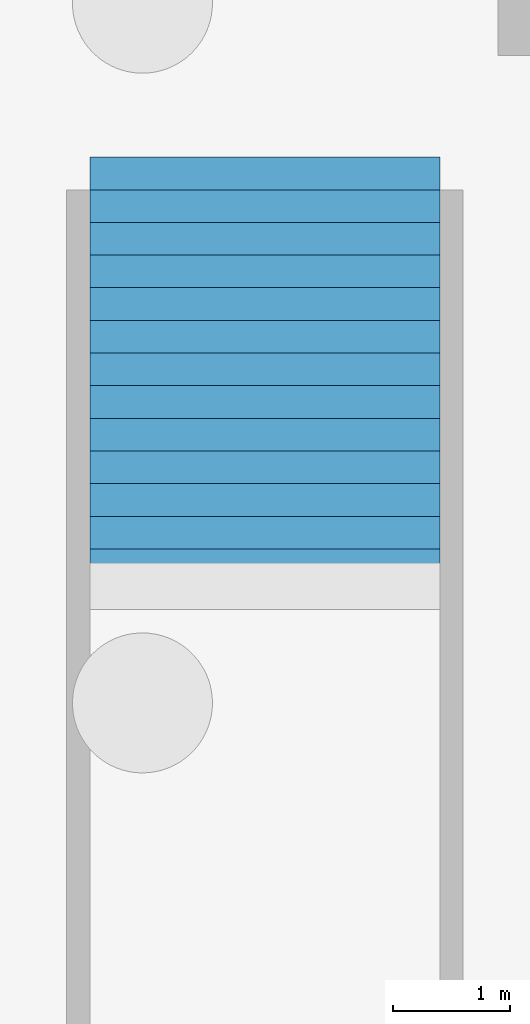
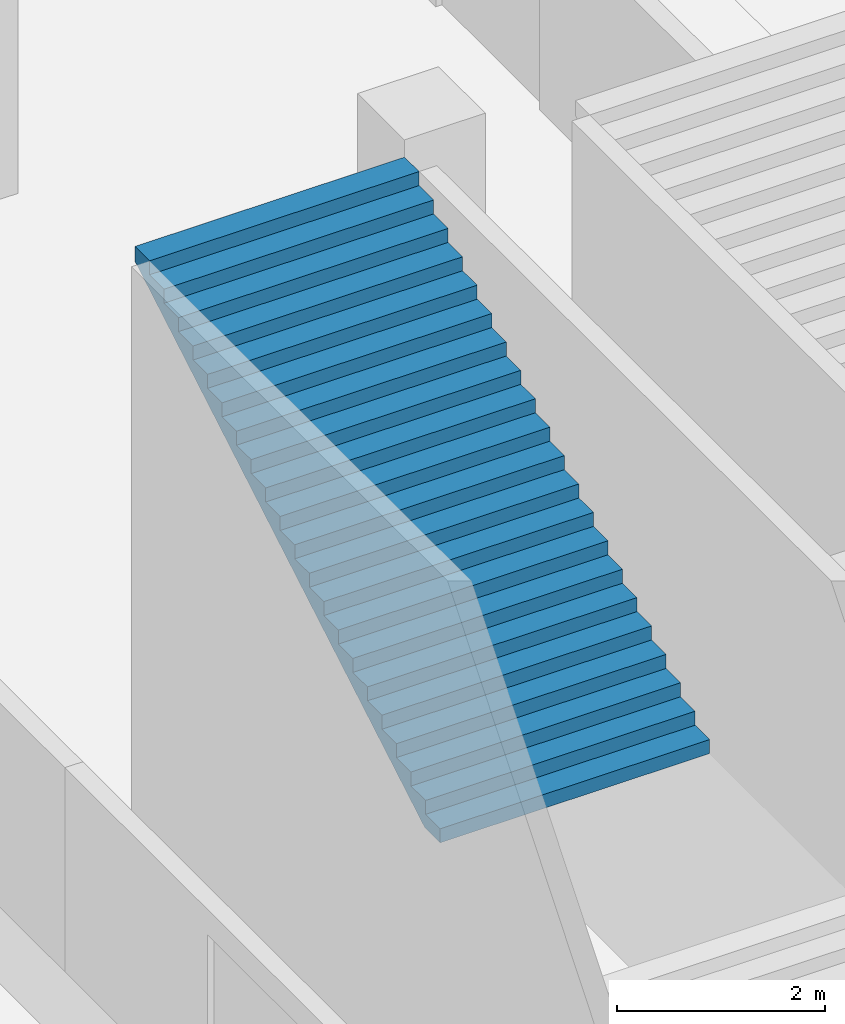
# One storey, part 9 of 16: 1 stair flight, 1 element without a shape of its own.
"""IFC4 building model written with IfcOpenShell, lengths in metres."""

from ifc_helpers import new_model, si_unit, direction, frame, origin, place, context, subcontext, project, spatial, faceted_brep, material, type_object, element, aggregate, save


model = new_model("IFC4")

# Units and contexts
model_context = context("Model", 3, precision=1e-05, world=origin(), true_north=direction((0.0, 1.0)))
body_context = subcontext(model_context, "Body", "Model", "MODEL_VIEW")
ifc_project = project(units=[si_unit("LENGTHUNIT", "METRE"), si_unit("AREAUNIT", "SQUARE_METRE"), si_unit("VOLUMEUNIT", "CUBIC_METRE"), si_unit("PLANEANGLEUNIT", "RADIAN"), si_unit("MASSUNIT", "GRAM", prefix="KILO")], contexts=[model_context])

# Site, building, storey
site_placement = place(None, origin())
site = spatial("IfcSite", under=ifc_project, at=site_placement, CompositionType="ELEMENT")
building_placement = place(site_placement, origin())
building = spatial("IfcBuilding", under=site, at=building_placement, Name="Ogive Plaza Stadium", CompositionType="ELEMENT")
storey_placement = place(building_placement, frame((0.0, 0.0, -11.39990234375)))
storey = spatial("IfcBuildingStorey", under=building, at=storey_placement, Name="B2", CompositionType="ELEMENT", Elevation=-11.39990234375)

# Stair, stair flight
ifc_material_1 = material(Name="Concrete C40/50", Category="concrete")
stair_type = type_object("IfcStairType", Name="Station stair 3000", PredefinedType="TWO_STRAIGHT_RUN_STAIR", material=ifc_material_1)
stair_placement = place(storey_placement, origin())
stair = element("IfcStair", 1, at=stair_placement, inside=storey, type_object=stair_type, Name="Stair PS1", PredefinedType="TWO_STRAIGHT_RUN_STAIR")
ifc_material_2 = material(Name="Concrete C40/50", Category="concrete")
stair_flight_type = type_object("IfcStairFlightType", Name="Station stair flight 3000", PredefinedType="STRAIGHT", material=ifc_material_2)
stair_flight_placement = place(storey_placement, frame((105.050048828125, -34.199951171875, 3.449951171875), z_axis=(0.0, 0.0, 1.0), x_axis=(0.0, 1.0, 0.0)))
stair_flight = element("IfcStairFlight", 2, at=stair_flight_placement, type_object=stair_flight_type, Name="PS1 flight 2", NumberOfRisers=21, NumberOfTreads=20, PredefinedType="STRAIGHT", RiserHeight=0.164285714, TreadLength=0.28, context=body_context, shape_type="Brep", body=[
    faceted_brep([(0.296142578125, -1.5, 0.0), (5.8798828125, -1.5, 3.276123046875), (5.8798828125, -1.5, 3.449951171875), (5.60009765625, -1.5, 3.449951171875), (5.60009765625, -1.5, 3.28564453125), (5.320068359375, -1.5, 3.28564453125), (5.320068359375, -1.5, 3.121337890625), (5.0400390625, -1.5, 3.121337890625), (5.0400390625, -1.5, 2.95703125), (4.760009765625, -1.5, 2.95703125), (4.760009765625, -1.5, 2.79296875), (4.47998046875, -1.5, 2.79296875), (4.47998046875, -1.5, 2.628662109375), (4.199951171875, -1.5, 2.628662109375), (4.199951171875, -1.5, 2.46435546875), (3.919921875, -1.5, 2.46435546875), (3.919921875, -1.5, 2.300048828125), (3.639892578125, -1.5, 2.300048828125), (3.639892578125, -1.5, 2.1357421875), (3.360107421875, -1.5, 2.1357421875), (3.360107421875, -1.5, 1.971435546875), (3.080078125, -1.5, 1.971435546875), (3.080078125, -1.5, 1.80712890625), (2.800048828125, -1.5, 1.80712890625), (2.800048828125, -1.5, 1.642822265625), (2.52001953125, -1.5, 1.642822265625), (2.52001953125, -1.5, 1.478515625), (2.239990234375, -1.5, 1.478515625), (2.239990234375, -1.5, 1.314208984375), (1.9599609375, -1.5, 1.314208984375), (1.9599609375, -1.5, 1.14990234375), (1.679931640625, -1.5, 1.14990234375), (1.679931640625, -1.5, 0.985595703125), (1.39990234375, -1.5, 0.985595703125), (1.39990234375, -1.5, 0.821533203125), (1.1201171875, -1.5, 0.821533203125), (1.1201171875, -1.5, 0.6572265625), (0.840087890625, -1.5, 0.6572265625), (0.840087890625, -1.5, 0.492919921875), (0.56005859375, -1.5, 0.492919921875), (0.56005859375, -1.5, 0.32861328125), (0.280029296875, -1.5, 0.32861328125), (0.280029296875, -1.5, 0.164306640625), (0.0, -1.5, 0.164306640625), (0.0, -1.5, 0.0), (0.0, 1.5, 0.0), (0.0, 1.5, 0.164306640625), (0.280029296875, 1.5, 0.164306640625), (0.280029296875, 1.5, 0.32861328125), (0.56005859375, 1.5, 0.32861328125), (0.56005859375, 1.5, 0.492919921875), (0.840087890625, 1.5, 0.492919921875), (0.840087890625, 1.5, 0.6572265625), (1.1201171875, 1.5, 0.6572265625), (1.1201171875, 1.5, 0.821533203125), (1.39990234375, 1.5, 0.821533203125), (1.39990234375, 1.5, 0.985595703125), (1.679931640625, 1.5, 0.985595703125), (1.679931640625, 1.5, 1.14990234375), (1.9599609375, 1.5, 1.14990234375), (1.9599609375, 1.5, 1.314208984375), (2.239990234375, 1.5, 1.314208984375), (2.239990234375, 1.5, 1.478515625), (2.52001953125, 1.5, 1.478515625), (2.52001953125, 1.5, 1.642822265625), (2.800048828125, 1.5, 1.642822265625), (2.800048828125, 1.5, 1.80712890625), (3.080078125, 1.5, 1.80712890625), (3.080078125, 1.5, 1.971435546875), (3.360107421875, 1.5, 1.971435546875), (3.360107421875, 1.5, 2.1357421875), (3.639892578125, 1.5, 2.1357421875), (3.639892578125, 1.5, 2.300048828125), (3.919921875, 1.5, 2.300048828125), (3.919921875, 1.5, 2.46435546875), (4.199951171875, 1.5, 2.46435546875), (4.199951171875, 1.5, 2.628662109375), (4.47998046875, 1.5, 2.628662109375), (4.47998046875, 1.5, 2.79296875), (4.760009765625, 1.5, 2.79296875), (4.760009765625, 1.5, 2.95703125), (5.0400390625, 1.5, 2.95703125), (5.0400390625, 1.5, 3.121337890625), (5.320068359375, 1.5, 3.121337890625), (5.320068359375, 1.5, 3.28564453125), (5.60009765625, 1.5, 3.28564453125), (5.60009765625, 1.5, 3.449951171875), (5.8798828125, 1.5, 3.449951171875), (5.8798828125, 1.5, 3.276123046875), (0.296142578125, 1.5, 0.0), (0.296142578125, -1.166748046875, 0.0), (5.8798828125, -1.166748046875, 3.276123046875), (0.296142578125, -0.833251953125, 0.0), (5.8798828125, -0.833251953125, 3.276123046875), (0.296142578125, -0.5, 0.0), (5.8798828125, -0.5, 3.276123046875), (0.296142578125, -0.166748046875, 0.0), (5.8798828125, -0.166748046875, 3.276123046875), (0.296142578125, 0.166748046875, 0.0), (5.8798828125, 0.166748046875, 3.276123046875), (0.296142578125, 0.5, 0.0), (5.8798828125, 0.5, 3.276123046875), (0.296142578125, 0.833251953125, 0.0), (5.8798828125, 0.833251953125, 3.276123046875), (0.296142578125, 1.166748046875, 0.0), (5.8798828125, 1.166748046875, 3.276123046875), (5.8798828125, -1.166748046875, 3.449951171875), (5.8798828125, -0.833251953125, 3.449951171875), (5.8798828125, -0.5, 3.449951171875), (5.8798828125, -0.166748046875, 3.449951171875), (5.8798828125, 0.166748046875, 3.449951171875), (5.8798828125, 0.5, 3.449951171875), (5.8798828125, 0.833251953125, 3.449951171875), (5.8798828125, 1.166748046875, 3.449951171875), (5.60009765625, -1.166748046875, 3.449951171875), (5.60009765625, -0.833251953125, 3.449951171875), (5.60009765625, -0.5, 3.449951171875), (5.60009765625, -0.166748046875, 3.449951171875), (5.60009765625, 0.166748046875, 3.449951171875), (5.60009765625, 0.5, 3.449951171875), (5.60009765625, 0.833251953125, 3.449951171875), (5.60009765625, 1.166748046875, 3.449951171875), (5.60009765625, -1.166748046875, 3.28564453125), (5.60009765625, -0.833251953125, 3.28564453125), (5.60009765625, -0.5, 3.28564453125), (5.60009765625, -0.166748046875, 3.28564453125), (5.60009765625, 0.166748046875, 3.28564453125), (5.60009765625, 0.5, 3.28564453125), (5.60009765625, 0.833251953125, 3.28564453125), (5.60009765625, 1.166748046875, 3.28564453125), (5.320068359375, -1.166748046875, 3.28564453125), (5.320068359375, -0.833251953125, 3.28564453125), (5.320068359375, -0.5, 3.28564453125), (5.320068359375, -0.166748046875, 3.28564453125), (5.320068359375, 0.166748046875, 3.28564453125), (5.320068359375, 0.5, 3.28564453125), (5.320068359375, 0.833251953125, 3.28564453125), (5.320068359375, 1.166748046875, 3.28564453125), (5.320068359375, -1.166748046875, 3.121337890625), (5.320068359375, -0.833251953125, 3.121337890625), (5.320068359375, -0.5, 3.121337890625), (5.320068359375, -0.166748046875, 3.121337890625), (5.320068359375, 0.166748046875, 3.121337890625), (5.320068359375, 0.5, 3.121337890625), (5.320068359375, 0.833251953125, 3.121337890625), (5.320068359375, 1.166748046875, 3.121337890625), (5.0400390625, -1.166748046875, 3.121337890625), (5.0400390625, -0.833251953125, 3.121337890625), (5.0400390625, -0.5, 3.121337890625), (5.0400390625, -0.166748046875, 3.121337890625), (5.0400390625, 0.166748046875, 3.121337890625), (5.0400390625, 0.5, 3.121337890625), (5.0400390625, 0.833251953125, 3.121337890625), (5.0400390625, 1.166748046875, 3.121337890625), (5.0400390625, -1.166748046875, 2.95703125), (5.0400390625, -0.833251953125, 2.95703125), (5.0400390625, -0.5, 2.95703125), (5.0400390625, -0.166748046875, 2.95703125), (5.0400390625, 0.166748046875, 2.95703125), (5.0400390625, 0.5, 2.95703125), (5.0400390625, 0.833251953125, 2.95703125), (5.0400390625, 1.166748046875, 2.95703125), (4.760009765625, -1.166748046875, 2.95703125), (4.760009765625, -0.833251953125, 2.95703125), (4.760009765625, -0.5, 2.95703125), (4.760009765625, -0.166748046875, 2.95703125), (4.760009765625, 0.166748046875, 2.95703125), (4.760009765625, 0.5, 2.95703125), (4.760009765625, 0.833251953125, 2.95703125), (4.760009765625, 1.166748046875, 2.95703125), (4.760009765625, -1.166748046875, 2.79296875), (4.760009765625, -0.833251953125, 2.79296875), (4.760009765625, -0.5, 2.79296875), (4.760009765625, -0.166748046875, 2.79296875), (4.760009765625, 0.166748046875, 2.79296875), (4.760009765625, 0.5, 2.79296875), (4.760009765625, 0.833251953125, 2.79296875), (4.760009765625, 1.166748046875, 2.79296875), (4.47998046875, -1.166748046875, 2.79296875), (4.47998046875, -0.833251953125, 2.79296875), (4.47998046875, -0.5, 2.79296875), (4.47998046875, -0.166748046875, 2.79296875), (4.47998046875, 0.166748046875, 2.79296875), (4.47998046875, 0.5, 2.79296875), (4.47998046875, 0.833251953125, 2.79296875), (4.47998046875, 1.166748046875, 2.79296875), (4.47998046875, -1.166748046875, 2.628662109375), (4.47998046875, -0.833251953125, 2.628662109375), (4.47998046875, -0.5, 2.628662109375), (4.47998046875, -0.166748046875, 2.628662109375), (4.47998046875, 0.166748046875, 2.628662109375), (4.47998046875, 0.5, 2.628662109375), (4.47998046875, 0.833251953125, 2.628662109375), (4.47998046875, 1.166748046875, 2.628662109375), (4.199951171875, -1.166748046875, 2.628662109375), (4.199951171875, -0.833251953125, 2.628662109375), (4.199951171875, -0.5, 2.628662109375), (4.199951171875, -0.166748046875, 2.628662109375), (4.199951171875, 0.166748046875, 2.628662109375), (4.199951171875, 0.5, 2.628662109375), (4.199951171875, 0.833251953125, 2.628662109375), (4.199951171875, 1.166748046875, 2.628662109375), (4.199951171875, -1.166748046875, 2.46435546875), (4.199951171875, -0.833251953125, 2.46435546875), (4.199951171875, -0.5, 2.46435546875), (4.199951171875, -0.166748046875, 2.46435546875), (4.199951171875, 0.166748046875, 2.46435546875), (4.199951171875, 0.5, 2.46435546875), (4.199951171875, 0.833251953125, 2.46435546875), (4.199951171875, 1.166748046875, 2.46435546875), (3.919921875, -1.166748046875, 2.46435546875), (3.919921875, -0.833251953125, 2.46435546875), (3.919921875, -0.5, 2.46435546875), (3.919921875, -0.166748046875, 2.46435546875), (3.919921875, 0.166748046875, 2.46435546875), (3.919921875, 0.5, 2.46435546875), (3.919921875, 0.833251953125, 2.46435546875), (3.919921875, 1.166748046875, 2.46435546875), (3.919921875, -1.166748046875, 2.300048828125), (3.919921875, -0.833251953125, 2.300048828125), (3.919921875, -0.5, 2.300048828125), (3.919921875, -0.166748046875, 2.300048828125), (3.919921875, 0.166748046875, 2.300048828125), (3.919921875, 0.5, 2.300048828125), (3.919921875, 0.833251953125, 2.300048828125), (3.919921875, 1.166748046875, 2.300048828125), (3.639892578125, -1.166748046875, 2.300048828125), (3.639892578125, -0.833251953125, 2.300048828125), (3.639892578125, -0.5, 2.300048828125), (3.639892578125, -0.166748046875, 2.300048828125), (3.639892578125, 0.166748046875, 2.300048828125), (3.639892578125, 0.5, 2.300048828125), (3.639892578125, 0.833251953125, 2.300048828125), (3.639892578125, 1.166748046875, 2.300048828125), (3.639892578125, -1.166748046875, 2.1357421875), (3.639892578125, -0.833251953125, 2.1357421875), (3.639892578125, -0.5, 2.1357421875), (3.639892578125, -0.166748046875, 2.1357421875), (3.639892578125, 0.166748046875, 2.1357421875), (3.639892578125, 0.5, 2.1357421875), (3.639892578125, 0.833251953125, 2.1357421875), (3.639892578125, 1.166748046875, 2.1357421875), (3.360107421875, -1.166748046875, 2.1357421875), (3.360107421875, -0.833251953125, 2.1357421875), (3.360107421875, -0.5, 2.1357421875), (3.360107421875, -0.166748046875, 2.1357421875), (3.360107421875, 0.166748046875, 2.1357421875), (3.360107421875, 0.5, 2.1357421875), (3.360107421875, 0.833251953125, 2.1357421875), (3.360107421875, 1.166748046875, 2.1357421875), (3.360107421875, -1.166748046875, 1.971435546875), (3.360107421875, -0.833251953125, 1.971435546875), (3.360107421875, -0.5, 1.971435546875), (3.360107421875, -0.166748046875, 1.971435546875), (3.360107421875, 0.166748046875, 1.971435546875), (3.360107421875, 0.5, 1.971435546875), (3.360107421875, 0.833251953125, 1.971435546875), (3.360107421875, 1.166748046875, 1.971435546875), (3.080078125, -1.166748046875, 1.971435546875), (3.080078125, -0.833251953125, 1.971435546875), (3.080078125, -0.5, 1.971435546875), (3.080078125, -0.166748046875, 1.971435546875), (3.080078125, 0.166748046875, 1.971435546875), (3.080078125, 0.5, 1.971435546875), (3.080078125, 0.833251953125, 1.971435546875), (3.080078125, 1.166748046875, 1.971435546875), (3.080078125, -1.166748046875, 1.80712890625), (3.080078125, -0.833251953125, 1.80712890625), (3.080078125, -0.5, 1.80712890625), (3.080078125, -0.166748046875, 1.80712890625), (3.080078125, 0.166748046875, 1.80712890625), (3.080078125, 0.5, 1.80712890625), (3.080078125, 0.833251953125, 1.80712890625), (3.080078125, 1.166748046875, 1.80712890625), (2.800048828125, -1.166748046875, 1.80712890625), (2.800048828125, -0.833251953125, 1.80712890625), (2.800048828125, -0.5, 1.80712890625), (2.800048828125, -0.166748046875, 1.80712890625), (2.800048828125, 0.166748046875, 1.80712890625), (2.800048828125, 0.5, 1.80712890625), (2.800048828125, 0.833251953125, 1.80712890625), (2.800048828125, 1.166748046875, 1.80712890625), (2.800048828125, -1.166748046875, 1.642822265625), (2.800048828125, -0.833251953125, 1.642822265625), (2.800048828125, -0.5, 1.642822265625), (2.800048828125, -0.166748046875, 1.642822265625), (2.800048828125, 0.166748046875, 1.642822265625), (2.800048828125, 0.5, 1.642822265625), (2.800048828125, 0.833251953125, 1.642822265625), (2.800048828125, 1.166748046875, 1.642822265625), (2.52001953125, -1.166748046875, 1.642822265625), (2.52001953125, -0.833251953125, 1.642822265625), (2.52001953125, -0.5, 1.642822265625), (2.52001953125, -0.166748046875, 1.642822265625), (2.52001953125, 0.166748046875, 1.642822265625), (2.52001953125, 0.5, 1.642822265625), (2.52001953125, 0.833251953125, 1.642822265625), (2.52001953125, 1.166748046875, 1.642822265625), (2.52001953125, -1.166748046875, 1.478515625), (2.52001953125, -0.833251953125, 1.478515625), (2.52001953125, -0.5, 1.478515625), (2.52001953125, -0.166748046875, 1.478515625), (2.52001953125, 0.166748046875, 1.478515625), (2.52001953125, 0.5, 1.478515625), (2.52001953125, 0.833251953125, 1.478515625), (2.52001953125, 1.166748046875, 1.478515625), (2.239990234375, -1.166748046875, 1.478515625), (2.239990234375, -0.833251953125, 1.478515625), (2.239990234375, -0.5, 1.478515625), (2.239990234375, -0.166748046875, 1.478515625), (2.239990234375, 0.166748046875, 1.478515625), (2.239990234375, 0.5, 1.478515625), (2.239990234375, 0.833251953125, 1.478515625), (2.239990234375, 1.166748046875, 1.478515625), (2.239990234375, -1.166748046875, 1.314208984375), (2.239990234375, -0.833251953125, 1.314208984375), (2.239990234375, -0.5, 1.314208984375), (2.239990234375, -0.166748046875, 1.314208984375), (2.239990234375, 0.166748046875, 1.314208984375), (2.239990234375, 0.5, 1.314208984375), (2.239990234375, 0.833251953125, 1.314208984375), (2.239990234375, 1.166748046875, 1.314208984375), (1.9599609375, -1.166748046875, 1.314208984375), (1.9599609375, -0.833251953125, 1.314208984375), (1.9599609375, -0.5, 1.314208984375), (1.9599609375, -0.166748046875, 1.314208984375), (1.9599609375, 0.166748046875, 1.314208984375), (1.9599609375, 0.5, 1.314208984375), (1.9599609375, 0.833251953125, 1.314208984375), (1.9599609375, 1.166748046875, 1.314208984375), (1.9599609375, -1.166748046875, 1.14990234375), (1.9599609375, -0.833251953125, 1.14990234375), (1.9599609375, -0.5, 1.14990234375), (1.9599609375, -0.166748046875, 1.14990234375), (1.9599609375, 0.166748046875, 1.14990234375), (1.9599609375, 0.5, 1.14990234375), (1.9599609375, 0.833251953125, 1.14990234375), (1.9599609375, 1.166748046875, 1.14990234375), (1.679931640625, -1.166748046875, 1.14990234375), (1.679931640625, -0.833251953125, 1.14990234375), (1.679931640625, -0.5, 1.14990234375), (1.679931640625, -0.166748046875, 1.14990234375), (1.679931640625, 0.166748046875, 1.14990234375), (1.679931640625, 0.5, 1.14990234375), (1.679931640625, 0.833251953125, 1.14990234375), (1.679931640625, 1.166748046875, 1.14990234375), (1.679931640625, -1.166748046875, 0.985595703125), (1.679931640625, -0.833251953125, 0.985595703125), (1.679931640625, -0.5, 0.985595703125), (1.679931640625, -0.166748046875, 0.985595703125), (1.679931640625, 0.166748046875, 0.985595703125), (1.679931640625, 0.5, 0.985595703125), (1.679931640625, 0.833251953125, 0.985595703125), (1.679931640625, 1.166748046875, 0.985595703125), (1.39990234375, -1.166748046875, 0.985595703125), (1.39990234375, -0.833251953125, 0.985595703125), (1.39990234375, -0.5, 0.985595703125), (1.39990234375, -0.166748046875, 0.985595703125), (1.39990234375, 0.166748046875, 0.985595703125), (1.39990234375, 0.5, 0.985595703125), (1.39990234375, 0.833251953125, 0.985595703125), (1.39990234375, 1.166748046875, 0.985595703125), (1.39990234375, -1.166748046875, 0.821533203125), (1.39990234375, -0.833251953125, 0.821533203125), (1.39990234375, -0.5, 0.821533203125), (1.39990234375, -0.166748046875, 0.821533203125), (1.39990234375, 0.166748046875, 0.821533203125), (1.39990234375, 0.5, 0.821533203125), (1.39990234375, 0.833251953125, 0.821533203125), (1.39990234375, 1.166748046875, 0.821533203125), (1.1201171875, -1.166748046875, 0.821533203125), (1.1201171875, -0.833251953125, 0.821533203125), (1.1201171875, -0.5, 0.821533203125), (1.1201171875, -0.166748046875, 0.821533203125), (1.1201171875, 0.166748046875, 0.821533203125), (1.1201171875, 0.5, 0.821533203125), (1.1201171875, 0.833251953125, 0.821533203125), (1.1201171875, 1.166748046875, 0.821533203125), (1.1201171875, -1.166748046875, 0.6572265625), (1.1201171875, -0.833251953125, 0.6572265625), (1.1201171875, -0.5, 0.6572265625), (1.1201171875, -0.166748046875, 0.6572265625), (1.1201171875, 0.166748046875, 0.6572265625), (1.1201171875, 0.5, 0.6572265625), (1.1201171875, 0.833251953125, 0.6572265625), (1.1201171875, 1.166748046875, 0.6572265625), (0.840087890625, -1.166748046875, 0.6572265625), (0.840087890625, -0.833251953125, 0.6572265625), (0.840087890625, -0.5, 0.6572265625), (0.840087890625, -0.166748046875, 0.6572265625), (0.840087890625, 0.166748046875, 0.6572265625), (0.840087890625, 0.5, 0.6572265625), (0.840087890625, 0.833251953125, 0.6572265625), (0.840087890625, 1.166748046875, 0.6572265625), (0.840087890625, -1.166748046875, 0.492919921875), (0.840087890625, -0.833251953125, 0.492919921875), (0.840087890625, -0.5, 0.492919921875), (0.840087890625, -0.166748046875, 0.492919921875), (0.840087890625, 0.166748046875, 0.492919921875), (0.840087890625, 0.5, 0.492919921875), (0.840087890625, 0.833251953125, 0.492919921875), (0.840087890625, 1.166748046875, 0.492919921875), (0.56005859375, -1.166748046875, 0.492919921875), (0.56005859375, -0.833251953125, 0.492919921875), (0.56005859375, -0.5, 0.492919921875), (0.56005859375, -0.166748046875, 0.492919921875), (0.56005859375, 0.166748046875, 0.492919921875), (0.56005859375, 0.5, 0.492919921875), (0.56005859375, 0.833251953125, 0.492919921875), (0.56005859375, 1.166748046875, 0.492919921875), (0.56005859375, -1.166748046875, 0.32861328125), (0.56005859375, -0.833251953125, 0.32861328125), (0.56005859375, -0.5, 0.32861328125), (0.56005859375, -0.166748046875, 0.32861328125), (0.56005859375, 0.166748046875, 0.32861328125), (0.56005859375, 0.5, 0.32861328125), (0.56005859375, 0.833251953125, 0.32861328125), (0.56005859375, 1.166748046875, 0.32861328125), (0.280029296875, -1.166748046875, 0.32861328125), (0.280029296875, -0.833251953125, 0.32861328125), (0.280029296875, -0.5, 0.32861328125), (0.280029296875, -0.166748046875, 0.32861328125), (0.280029296875, 0.166748046875, 0.32861328125), (0.280029296875, 0.5, 0.32861328125), (0.280029296875, 0.833251953125, 0.32861328125), (0.280029296875, 1.166748046875, 0.32861328125), (0.280029296875, -1.166748046875, 0.164306640625), (0.280029296875, -0.833251953125, 0.164306640625), (0.280029296875, -0.5, 0.164306640625), (0.280029296875, -0.166748046875, 0.164306640625), (0.280029296875, 0.166748046875, 0.164306640625), (0.280029296875, 0.5, 0.164306640625), (0.280029296875, 0.833251953125, 0.164306640625), (0.280029296875, 1.166748046875, 0.164306640625), (0.0, -1.166748046875, 0.164306640625), (0.0, -0.833251953125, 0.164306640625), (0.0, -0.5, 0.164306640625), (0.0, -0.166748046875, 0.164306640625), (0.0, 0.166748046875, 0.164306640625), (0.0, 0.5, 0.164306640625), (0.0, 0.833251953125, 0.164306640625), (0.0, 1.166748046875, 0.164306640625), (0.0, -1.166748046875, 0.0), (0.0, -0.833251953125, 0.0), (0.0, -0.5, 0.0), (0.0, -0.166748046875, 0.0), (0.0, 0.166748046875, 0.0), (0.0, 0.5, 0.0), (0.0, 0.833251953125, 0.0), (0.0, 1.166748046875, 0.0)], [[[0, 1, 2, 3, 4, 5, 6, 7, 8, 9, 10, 11, 12, 13, 14, 15, 16, 17, 18, 19, 20, 21, 22, 23, 24, 25, 26, 27, 28, 29, 30, 31, 32, 33, 34, 35, 36, 37, 38, 39, 40, 41, 42, 43, 44]], [[45, 46, 47, 48, 49, 50, 51, 52, 53, 54, 55, 56, 57, 58, 59, 60, 61, 62, 63, 64, 65, 66, 67, 68, 69, 70, 71, 72, 73, 74, 75, 76, 77, 78, 79, 80, 81, 82, 83, 84, 85, 86, 87, 88, 89]], [[0, 90, 91, 1]], [[90, 92, 93, 91]], [[92, 94, 95, 93]], [[94, 96, 97, 95]], [[96, 98, 99, 97]], [[98, 100, 101, 99]], [[100, 102, 103, 101]], [[102, 104, 105, 103]], [[104, 89, 88, 105]], [[1, 91, 106, 2]], [[91, 93, 107, 106]], [[93, 95, 108, 107]], [[95, 97, 109, 108]], [[97, 99, 110, 109]], [[99, 101, 111, 110]], [[101, 103, 112, 111]], [[103, 105, 113, 112]], [[105, 88, 87, 113]], [[2, 106, 114, 3]], [[106, 107, 115, 114]], [[107, 108, 116, 115]], [[108, 109, 117, 116]], [[109, 110, 118, 117]], [[110, 111, 119, 118]], [[111, 112, 120, 119]], [[112, 113, 121, 120]], [[113, 87, 86, 121]], [[3, 114, 122, 4]], [[114, 115, 123, 122]], [[115, 116, 124, 123]], [[116, 117, 125, 124]], [[117, 118, 126, 125]], [[118, 119, 127, 126]], [[119, 120, 128, 127]], [[120, 121, 129, 128]], [[121, 86, 85, 129]], [[4, 122, 130, 5]], [[122, 123, 131, 130]], [[123, 124, 132, 131]], [[124, 125, 133, 132]], [[125, 126, 134, 133]], [[126, 127, 135, 134]], [[127, 128, 136, 135]], [[128, 129, 137, 136]], [[129, 85, 84, 137]], [[5, 130, 138, 6]], [[130, 131, 139, 138]], [[131, 132, 140, 139]], [[132, 133, 141, 140]], [[133, 134, 142, 141]], [[134, 135, 143, 142]], [[135, 136, 144, 143]], [[136, 137, 145, 144]], [[137, 84, 83, 145]], [[6, 138, 146, 7]], [[138, 139, 147, 146]], [[139, 140, 148, 147]], [[140, 141, 149, 148]], [[141, 142, 150, 149]], [[142, 143, 151, 150]], [[143, 144, 152, 151]], [[144, 145, 153, 152]], [[145, 83, 82, 153]], [[7, 146, 154, 8]], [[146, 147, 155, 154]], [[147, 148, 156, 155]], [[148, 149, 157, 156]], [[149, 150, 158, 157]], [[150, 151, 159, 158]], [[151, 152, 160, 159]], [[152, 153, 161, 160]], [[153, 82, 81, 161]], [[8, 154, 162, 9]], [[154, 155, 163, 162]], [[155, 156, 164, 163]], [[156, 157, 165, 164]], [[157, 158, 166, 165]], [[158, 159, 167, 166]], [[159, 160, 168, 167]], [[160, 161, 169, 168]], [[161, 81, 80, 169]], [[9, 162, 170, 10]], [[162, 163, 171, 170]], [[163, 164, 172, 171]], [[164, 165, 173, 172]], [[165, 166, 174, 173]], [[166, 167, 175, 174]], [[167, 168, 176, 175]], [[168, 169, 177, 176]], [[169, 80, 79, 177]], [[10, 170, 178, 11]], [[170, 171, 179, 178]], [[171, 172, 180, 179]], [[172, 173, 181, 180]], [[173, 174, 182, 181]], [[174, 175, 183, 182]], [[175, 176, 184, 183]], [[176, 177, 185, 184]], [[177, 79, 78, 185]], [[11, 178, 186, 12]], [[178, 179, 187, 186]], [[179, 180, 188, 187]], [[180, 181, 189, 188]], [[181, 182, 190, 189]], [[182, 183, 191, 190]], [[183, 184, 192, 191]], [[184, 185, 193, 192]], [[185, 78, 77, 193]], [[12, 186, 194, 13]], [[186, 187, 195, 194]], [[187, 188, 196, 195]], [[188, 189, 197, 196]], [[189, 190, 198, 197]], [[190, 191, 199, 198]], [[191, 192, 200, 199]], [[192, 193, 201, 200]], [[193, 77, 76, 201]], [[13, 194, 202, 14]], [[194, 195, 203, 202]], [[195, 196, 204, 203]], [[196, 197, 205, 204]], [[197, 198, 206, 205]], [[198, 199, 207, 206]], [[199, 200, 208, 207]], [[200, 201, 209, 208]], [[201, 76, 75, 209]], [[14, 202, 210, 15]], [[202, 203, 211, 210]], [[203, 204, 212, 211]], [[204, 205, 213, 212]], [[205, 206, 214, 213]], [[206, 207, 215, 214]], [[207, 208, 216, 215]], [[208, 209, 217, 216]], [[209, 75, 74, 217]], [[15, 210, 218, 16]], [[210, 211, 219, 218]], [[211, 212, 220, 219]], [[212, 213, 221, 220]], [[213, 214, 222, 221]], [[214, 215, 223, 222]], [[215, 216, 224, 223]], [[216, 217, 225, 224]], [[217, 74, 73, 225]], [[16, 218, 226, 17]], [[218, 219, 227, 226]], [[219, 220, 228, 227]], [[220, 221, 229, 228]], [[221, 222, 230, 229]], [[222, 223, 231, 230]], [[223, 224, 232, 231]], [[224, 225, 233, 232]], [[225, 73, 72, 233]], [[17, 226, 234, 18]], [[226, 227, 235, 234]], [[227, 228, 236, 235]], [[228, 229, 237, 236]], [[229, 230, 238, 237]], [[230, 231, 239, 238]], [[231, 232, 240, 239]], [[232, 233, 241, 240]], [[233, 72, 71, 241]], [[18, 234, 242, 19]], [[234, 235, 243, 242]], [[235, 236, 244, 243]], [[236, 237, 245, 244]], [[237, 238, 246, 245]], [[238, 239, 247, 246]], [[239, 240, 248, 247]], [[240, 241, 249, 248]], [[241, 71, 70, 249]], [[19, 242, 250, 20]], [[242, 243, 251, 250]], [[243, 244, 252, 251]], [[244, 245, 253, 252]], [[245, 246, 254, 253]], [[246, 247, 255, 254]], [[247, 248, 256, 255]], [[248, 249, 257, 256]], [[249, 70, 69, 257]], [[20, 250, 258, 21]], [[250, 251, 259, 258]], [[251, 252, 260, 259]], [[252, 253, 261, 260]], [[253, 254, 262, 261]], [[254, 255, 263, 262]], [[255, 256, 264, 263]], [[256, 257, 265, 264]], [[257, 69, 68, 265]], [[21, 258, 266, 22]], [[258, 259, 267, 266]], [[259, 260, 268, 267]], [[260, 261, 269, 268]], [[261, 262, 270, 269]], [[262, 263, 271, 270]], [[263, 264, 272, 271]], [[264, 265, 273, 272]], [[265, 68, 67, 273]], [[22, 266, 274, 23]], [[266, 267, 275, 274]], [[267, 268, 276, 275]], [[268, 269, 277, 276]], [[269, 270, 278, 277]], [[270, 271, 279, 278]], [[271, 272, 280, 279]], [[272, 273, 281, 280]], [[273, 67, 66, 281]], [[23, 274, 282, 24]], [[274, 275, 283, 282]], [[275, 276, 284, 283]], [[276, 277, 285, 284]], [[277, 278, 286, 285]], [[278, 279, 287, 286]], [[279, 280, 288, 287]], [[280, 281, 289, 288]], [[281, 66, 65, 289]], [[24, 282, 290, 25]], [[282, 283, 291, 290]], [[283, 284, 292, 291]], [[284, 285, 293, 292]], [[285, 286, 294, 293]], [[286, 287, 295, 294]], [[287, 288, 296, 295]], [[288, 289, 297, 296]], [[289, 65, 64, 297]], [[25, 290, 298, 26]], [[290, 291, 299, 298]], [[291, 292, 300, 299]], [[292, 293, 301, 300]], [[293, 294, 302, 301]], [[294, 295, 303, 302]], [[295, 296, 304, 303]], [[296, 297, 305, 304]], [[297, 64, 63, 305]], [[26, 298, 306, 27]], [[298, 299, 307, 306]], [[299, 300, 308, 307]], [[300, 301, 309, 308]], [[301, 302, 310, 309]], [[302, 303, 311, 310]], [[303, 304, 312, 311]], [[304, 305, 313, 312]], [[305, 63, 62, 313]], [[27, 306, 314, 28]], [[306, 307, 315, 314]], [[307, 308, 316, 315]], [[308, 309, 317, 316]], [[309, 310, 318, 317]], [[310, 311, 319, 318]], [[311, 312, 320, 319]], [[312, 313, 321, 320]], [[313, 62, 61, 321]], [[28, 314, 322, 29]], [[314, 315, 323, 322]], [[315, 316, 324, 323]], [[316, 317, 325, 324]], [[317, 318, 326, 325]], [[318, 319, 327, 326]], [[319, 320, 328, 327]], [[320, 321, 329, 328]], [[321, 61, 60, 329]], [[29, 322, 330, 30]], [[322, 323, 331, 330]], [[323, 324, 332, 331]], [[324, 325, 333, 332]], [[325, 326, 334, 333]], [[326, 327, 335, 334]], [[327, 328, 336, 335]], [[328, 329, 337, 336]], [[329, 60, 59, 337]], [[30, 330, 338, 31]], [[330, 331, 339, 338]], [[331, 332, 340, 339]], [[332, 333, 341, 340]], [[333, 334, 342, 341]], [[334, 335, 343, 342]], [[335, 336, 344, 343]], [[336, 337, 345, 344]], [[337, 59, 58, 345]], [[31, 338, 346, 32]], [[338, 339, 347, 346]], [[339, 340, 348, 347]], [[340, 341, 349, 348]], [[341, 342, 350, 349]], [[342, 343, 351, 350]], [[343, 344, 352, 351]], [[344, 345, 353, 352]], [[345, 58, 57, 353]], [[32, 346, 354, 33]], [[346, 347, 355, 354]], [[347, 348, 356, 355]], [[348, 349, 357, 356]], [[349, 350, 358, 357]], [[350, 351, 359, 358]], [[351, 352, 360, 359]], [[352, 353, 361, 360]], [[353, 57, 56, 361]], [[33, 354, 362, 34]], [[354, 355, 363, 362]], [[355, 356, 364, 363]], [[356, 357, 365, 364]], [[357, 358, 366, 365]], [[358, 359, 367, 366]], [[359, 360, 368, 367]], [[360, 361, 369, 368]], [[361, 56, 55, 369]], [[34, 362, 370, 35]], [[362, 363, 371, 370]], [[363, 364, 372, 371]], [[364, 365, 373, 372]], [[365, 366, 374, 373]], [[366, 367, 375, 374]], [[367, 368, 376, 375]], [[368, 369, 377, 376]], [[369, 55, 54, 377]], [[35, 370, 378, 36]], [[370, 371, 379, 378]], [[371, 372, 380, 379]], [[372, 373, 381, 380]], [[373, 374, 382, 381]], [[374, 375, 383, 382]], [[375, 376, 384, 383]], [[376, 377, 385, 384]], [[377, 54, 53, 385]], [[36, 378, 386, 37]], [[378, 379, 387, 386]], [[379, 380, 388, 387]], [[380, 381, 389, 388]], [[381, 382, 390, 389]], [[382, 383, 391, 390]], [[383, 384, 392, 391]], [[384, 385, 393, 392]], [[385, 53, 52, 393]], [[37, 386, 394, 38]], [[386, 387, 395, 394]], [[387, 388, 396, 395]], [[388, 389, 397, 396]], [[389, 390, 398, 397]], [[390, 391, 399, 398]], [[391, 392, 400, 399]], [[392, 393, 401, 400]], [[393, 52, 51, 401]], [[38, 394, 402, 39]], [[394, 395, 403, 402]], [[395, 396, 404, 403]], [[396, 397, 405, 404]], [[397, 398, 406, 405]], [[398, 399, 407, 406]], [[399, 400, 408, 407]], [[400, 401, 409, 408]], [[401, 51, 50, 409]], [[39, 402, 410, 40]], [[402, 403, 411, 410]], [[403, 404, 412, 411]], [[404, 405, 413, 412]], [[405, 406, 414, 413]], [[406, 407, 415, 414]], [[407, 408, 416, 415]], [[408, 409, 417, 416]], [[409, 50, 49, 417]], [[40, 410, 418, 41]], [[410, 411, 419, 418]], [[411, 412, 420, 419]], [[412, 413, 421, 420]], [[413, 414, 422, 421]], [[414, 415, 423, 422]], [[415, 416, 424, 423]], [[416, 417, 425, 424]], [[417, 49, 48, 425]], [[41, 418, 426, 42]], [[418, 419, 427, 426]], [[419, 420, 428, 427]], [[420, 421, 429, 428]], [[421, 422, 430, 429]], [[422, 423, 431, 430]], [[423, 424, 432, 431]], [[424, 425, 433, 432]], [[425, 48, 47, 433]], [[42, 426, 434, 43]], [[426, 427, 435, 434]], [[427, 428, 436, 435]], [[428, 429, 437, 436]], [[429, 430, 438, 437]], [[430, 431, 439, 438]], [[431, 432, 440, 439]], [[432, 433, 441, 440]], [[433, 47, 46, 441]], [[43, 434, 442, 44]], [[434, 435, 443, 442]], [[435, 436, 444, 443]], [[436, 437, 445, 444]], [[437, 438, 446, 445]], [[438, 439, 447, 446]], [[439, 440, 448, 447]], [[440, 441, 449, 448]], [[441, 46, 45, 449]], [[44, 442, 90, 0]], [[442, 443, 92, 90]], [[443, 444, 94, 92]], [[444, 445, 96, 94]], [[445, 446, 98, 96]], [[446, 447, 100, 98]], [[447, 448, 102, 100]], [[448, 449, 104, 102]], [[449, 45, 89, 104]]]),
])
aggregate(stair, [stair_flight])

save(model, "model.ifc")
